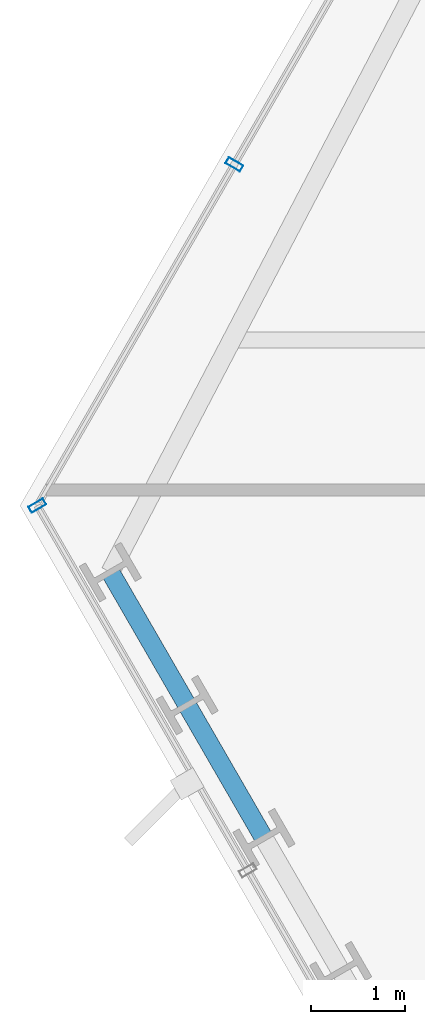
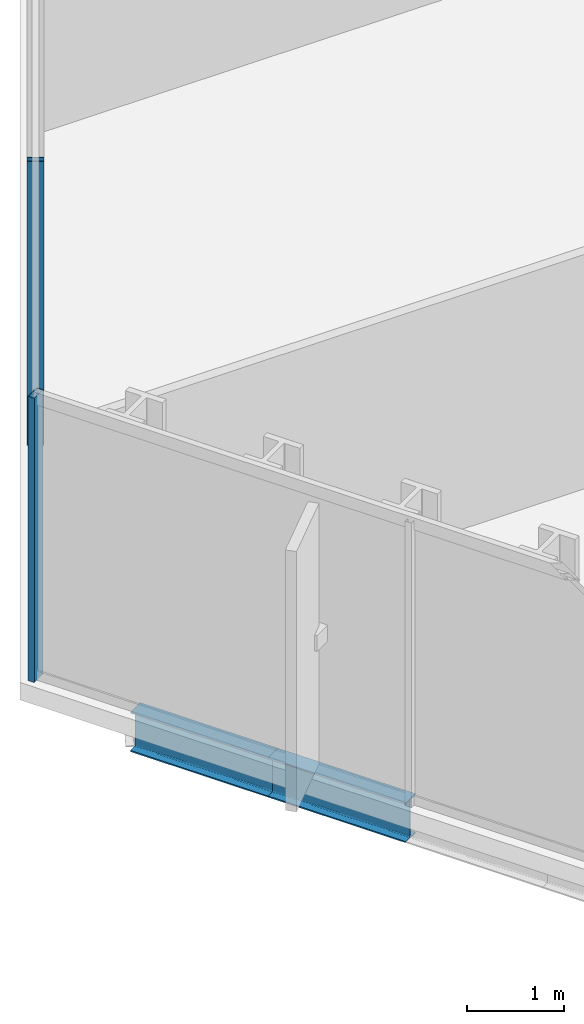
# One storey, part 5 of 31: 2 beams, 2 members, 2 elements without a shape of their own.
"""IFC4 building model written with IfcOpenShell, lengths in metres."""

from ifc_helpers import new_model, si_unit, direction, frame, origin, origin_2d, place, context, subcontext, project, spatial, hollow_rectangle, i_section, extrude, material, layer, layer_set, material_profile, profile_set, type_object, element, aggregate, save


model = new_model("IFC4")

# Units and contexts
model_context = context("Model", 3, precision=1e-05, world=origin(), true_north=direction((0.0, 1.0)))
body_context = subcontext(model_context, "Body", "Model", "MODEL_VIEW")
ifc_project = project(units=[si_unit("LENGTHUNIT", "METRE"), si_unit("AREAUNIT", "SQUARE_METRE"), si_unit("VOLUMEUNIT", "CUBIC_METRE"), si_unit("PLANEANGLEUNIT", "RADIAN"), si_unit("MASSUNIT", "GRAM", prefix="KILO")], contexts=[model_context])

# Site, building, storey
site_placement = place(None, origin())
site = spatial("IfcSite", under=ifc_project, at=site_placement, CompositionType="ELEMENT")
building_placement = place(site_placement, origin())
building = spatial("IfcBuilding", under=site, at=building_placement, Name="Ndaravel Arena Tower", CompositionType="ELEMENT")
storey_placement = place(building_placement, frame((0.0, 0.0, 104.39990234375)))
storey = spatial("IfcBuildingStorey", under=building, at=storey_placement, Name="L24", CompositionType="ELEMENT", Elevation=104.39990234375)

# Beams
ifc_material_1 = material(Name="Steel S355", Category="steel")
ifc_material_profile_1 = material_profile(ifc_material_1, i_section(OverallWidth=0.199951171875, OverallDepth=0.5, WebThickness=0.01025390625, FlangeThickness=0.01611328125, FilletRadius=0.02099609375, at=origin_2d()), Name="IPE 500")
ifc_profile_set_1 = profile_set([ifc_material_profile_1], Name="Steel S355")
beam_type = type_object("IfcBeamType", Name="BM-SPAN-IPE500", PredefinedType="SPANDREL", material=ifc_profile_set_1)
for number, where, z_axis, x_axis, name in (
    (1, (19.221923828125, 16.123291015625, -0.469970703125), (0.499984679161, -0.866034249094, 0.0), (0.866034249094, 0.499984679161, 0.0), "L24 Perimeter Spandrel Beam SP-20"),
    (2, (20.041259765625, 14.7041015625, -0.469970703125), (0.499984679161, -0.866034249094, 0.0), (0.866034249094, 0.499984679161, 0.0), "L24 Perimeter Spandrel Beam SP-21"),
):
    element("IfcBeam", number, at=place(storey_placement, frame(where, z_axis=z_axis, x_axis=x_axis)), inside=storey, type_object=beam_type, Name=name, PredefinedType="SPANDREL", context=body_context, shape_type="SweptSolid", body=[
        extrude(i_section(OverallWidth=0.199951171875, OverallDepth=0.5, WebThickness=0.01025390625, FlangeThickness=0.01611328125, FilletRadius=0.02099609375, at=origin_2d()), origin(), (0.0, 0.0, 1.0), 1.638671875),
    ])

# Curtain wall, member
ifc_material_2 = material(Name="Aluminium", Category="aluminium")
ifc_layer_1 = layer(ifc_material_2, 0.179931640625)
ifc_layer_set_1 = layer_set([ifc_layer_1], Name="Aluminium")
curtain_wall_type_1 = type_object("IfcCurtainWallType", Name="CW-SYS-03", PredefinedType="NOTDEFINED", material=ifc_layer_set_1)
curtain_wall_1_placement = place(storey_placement, origin())
curtain_wall_1 = element("IfcCurtainWall", 3, at=curtain_wall_1_placement, inside=storey, type_object=curtain_wall_type_1, Name="L24 Faceted Crystal Curtain Wall CW-L24-E05", PredefinedType="NOTDEFINED")
ifc_material_3 = material(Name="Aluminium", Category="aluminium")
ifc_material_profile_2 = material_profile(ifc_material_3, hollow_rectangle(XDim=0.074951171875, YDim=0.179931640625, WallThickness=0.00390625, at=origin_2d()), Name="CW MULLION 75x180x4")
ifc_profile_set_2 = profile_set([ifc_material_profile_2], Name="Aluminium")
member_type = type_object("IfcMemberType", Name="MEM-CW-MUL180", PredefinedType="MULLION", material=ifc_profile_set_2)
member_1_placement = place(storey_placement, frame((20.544921875, 20.47412109375, 0.0), z_axis=(0.0, 0.0, 1.0), x_axis=(-0.5, -0.866025403784, 0.0)))
member_1 = element("IfcMember", 4, at=member_1_placement, type_object=member_type, Name="CW-L24-E05 Mullion 07", PredefinedType="MULLION", context=body_context, shape_type="SweptSolid", body=[
    extrude(hollow_rectangle(XDim=0.074951171875, YDim=0.179931640625, WallThickness=0.00390625, at=origin_2d()), origin(), (0.0, 0.0, 1.0), 3.580078125),
])
aggregate(curtain_wall_1, [member_1])

ifc_material_4 = material(Name="Aluminium", Category="aluminium")
ifc_layer_2 = layer(ifc_material_4, 0.179931640625)
ifc_layer_set_2 = layer_set([ifc_layer_2], Name="Aluminium")
curtain_wall_type_2 = type_object("IfcCurtainWallType", Name="CW-SYS-02", PredefinedType="NOTDEFINED", material=ifc_layer_set_2)
curtain_wall_2_placement = place(storey_placement, origin())
curtain_wall_2 = element("IfcCurtainWall", 5, at=curtain_wall_2_placement, inside=storey, type_object=curtain_wall_type_2, Name="L24 Faceted Crystal Curtain Wall CW-L24-E06", PredefinedType="NOTDEFINED")
member_2_placement = place(storey_placement, frame((18.442626953125, 16.832763671875, 0.0), z_axis=(0.0, 0.0, 1.0), x_axis=(0.5, -0.866025403784, 0.0)))
member_2 = element("IfcMember", 6, at=member_2_placement, type_object=member_type, Name="CW-L24-E06 Mullion 00", PredefinedType="MULLION", context=body_context, shape_type="SweptSolid", body=[
    extrude(hollow_rectangle(XDim=0.074951171875, YDim=0.179931640625, WallThickness=0.00390625, at=origin_2d()), origin(), (0.0, 0.0, 1.0), 3.580078125),
])
aggregate(curtain_wall_2, [member_2])

save(model, "model.ifc")
